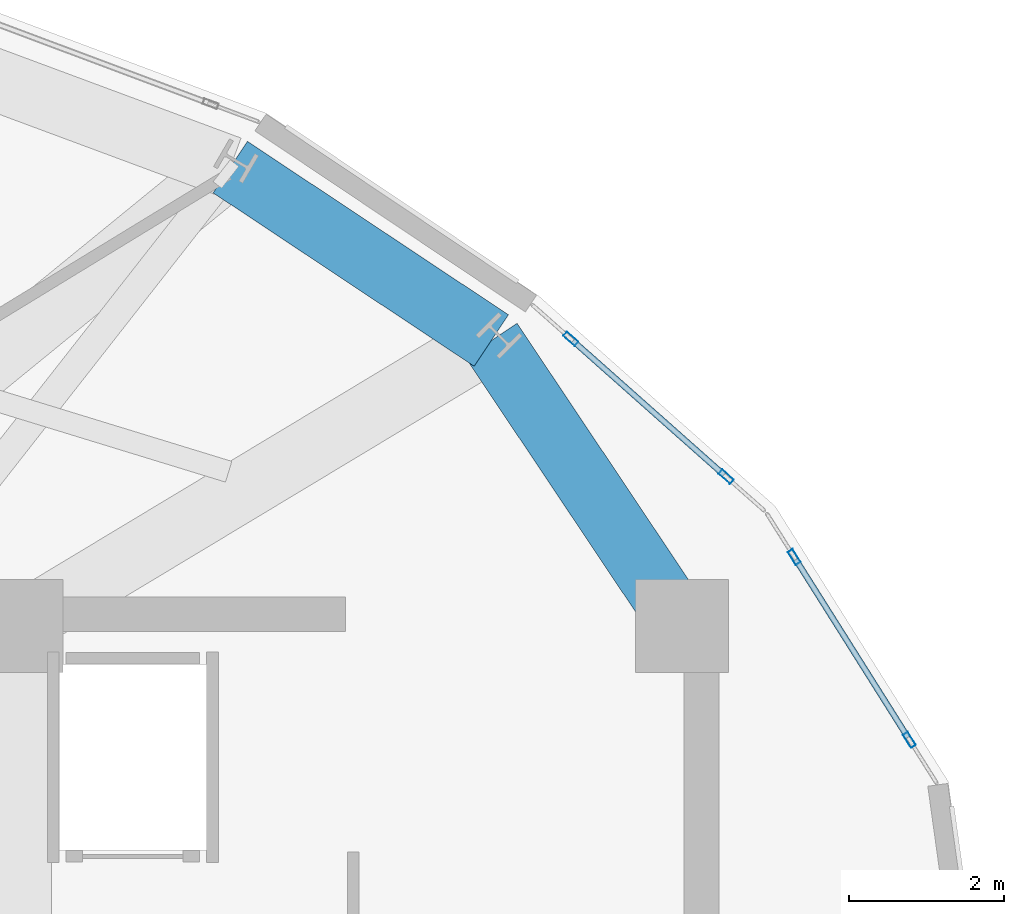
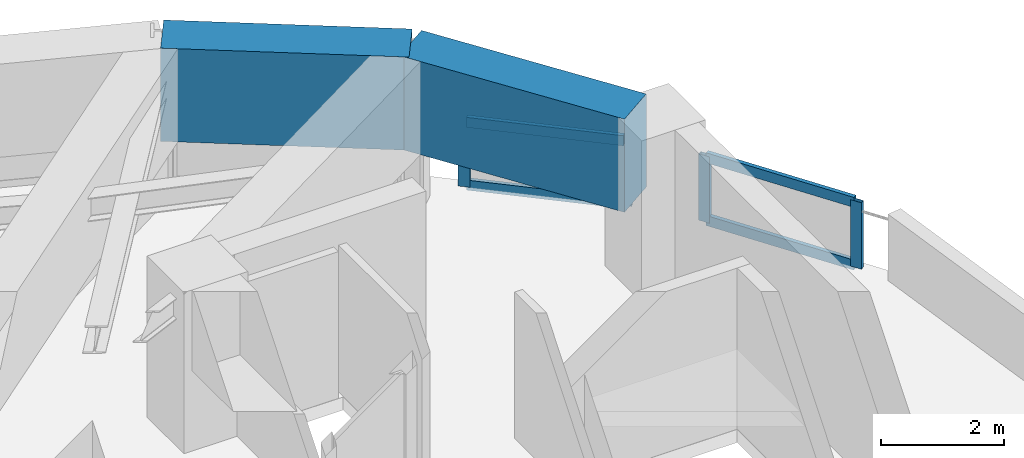
# One storey, part 12 of 18: 8 members, 2 beams, 2 elements without a shape of their own.
"""IFC4 building model written with IfcOpenShell, lengths in metres."""

from ifc_helpers import new_model, si_unit, direction, frame, origin, origin_2d, place, context, subcontext, project, spatial, rectangle, hollow_rectangle, extrude, material, layer, layer_set, material_profile, profile_set, type_object, element, aggregate, save


model = new_model("IFC4")

# Units and contexts
model_context = context("Model", 3, precision=1e-05, world=origin(), true_north=direction((0.0, 1.0)))
body_context = subcontext(model_context, "Body", "Model", "MODEL_VIEW")
ifc_project = project(units=[si_unit("LENGTHUNIT", "METRE"), si_unit("AREAUNIT", "SQUARE_METRE"), si_unit("VOLUMEUNIT", "CUBIC_METRE"), si_unit("PLANEANGLEUNIT", "RADIAN"), si_unit("MASSUNIT", "GRAM", prefix="KILO")], contexts=[model_context])

# Site, building, storey
site_placement = place(None, origin())
site = spatial("IfcSite", under=ifc_project, at=site_placement, CompositionType="ELEMENT")
building_placement = place(site_placement, origin())
building = spatial("IfcBuilding", under=site, at=building_placement, Name="Solvane Sanctuary Tower", CompositionType="ELEMENT")
storey_placement = place(building_placement, frame((0.0, 0.0, 263.60009765625)))
storey = spatial("IfcBuildingStorey", under=building, at=storey_placement, Name="L80", CompositionType="ELEMENT", Elevation=263.60009765625)

# Beams
ifc_material_1 = material(Name="Concrete C70/85", Category="concrete")
ifc_material_profile_1 = material_profile(ifc_material_1, rectangle(XDim=0.800048828125, YDim=1.85009765625, at=origin_2d()), Name="RC800X1850")
ifc_profile_set_1 = profile_set([ifc_material_profile_1], Name="Concrete C70/85")
beam_type = type_object("IfcBeamType", Name="Beam B-XFER-BLK RC800X1850", PredefinedType="BEAM", material=ifc_profile_set_1)
beam_1_placement = place(storey_placement, frame((42.860107421875, 36.129150390625, 2.27490234375), z_axis=(0.832902394686, -0.553419913742, 0.0), x_axis=(0.553419913742, 0.832902394686, 0.0)))
element("IfcBeam", 1, at=beam_1_placement, inside=storey, type_object=beam_type, Name="L80 Perimeter Step Transfer Ring NTC02-NTC01", PredefinedType="BEAM", context=body_context, shape_type="SweptSolid", body=[
    extrude(rectangle(XDim=0.800048828125, YDim=1.85009765625, at=origin_2d()), origin(), (0.0, 0.0, 1.0), 4.050537109375),
])
beam_2_placement = place(storey_placement, frame((46.23388671875, 33.887451171875, 2.27490234375), z_axis=(0.555943545236, -0.831220051798, 0.0), x_axis=(0.831220051798, 0.555943545236, 0.0)))
element("IfcBeam", 2, at=beam_2_placement, inside=storey, type_object=beam_type, Name="L80 Perimeter Step Transfer Ring NTC01-CE3", PredefinedType="BEAM", context=body_context, shape_type="SweptSolid", body=[
    extrude(rectangle(XDim=0.800048828125, YDim=1.85009765625, at=origin_2d()), origin(), (0.0, 0.0, 1.0), 4.076171875),
])

# Curtain wall, members
ifc_material_2 = material(Name="Anodised Aluminium 6063-T6", Category="aluminium")
ifc_layer = layer(ifc_material_2, 0.219970703125, Name="Anodised Aluminium 6063-T6")
ifc_layer_set = layer_set([ifc_layer], Name="Anodised Aluminium 6063-T6")
curtain_wall_type = type_object("IfcCurtainWallType", Name="Curtain Wall CW-CROWN", PredefinedType="NOTDEFINED", material=ifc_layer_set)
curtain_wall_1_placement = place(storey_placement, origin())
curtain_wall_1 = element("IfcCurtainWall", 3, at=curtain_wall_1_placement, inside=storey, type_object=curtain_wall_type, Name="L80 Crown Fritted Lantern Curtain Wall 01", PredefinedType="NOTDEFINED")
ifc_material_profile_2 = material_profile(ifc_material_2, hollow_rectangle(XDim=0.074951171875, YDim=0.199951171875, WallThickness=0.00390625, at=origin_2d()), Name="ALU200X75X4")
ifc_profile_set_2 = profile_set([ifc_material_profile_2], Name="Anodised Aluminium 6063-T6")
member_type_1 = type_object("IfcMemberType", Name="Member M-CW-MUL-1 ALU200X75X4", PredefinedType="MULLION", material=ifc_profile_set_2)
member_1_placement = place(storey_placement, frame((51.6376953125, 28.726806640625, 0.0), z_axis=(0.0, 0.0, 1.0), x_axis=(-0.846086642635, -0.533045395022, 0.0)))
member_1 = element("IfcMember", 4, at=member_1_placement, type_object=member_type_1, Name="CW-CROWN mullion 1", PredefinedType="MULLION", context=body_context, shape_type="SweptSolid", body=[
    extrude(hollow_rectangle(XDim=0.074951171875, YDim=0.199951171875, WallThickness=0.00390625, at=origin_2d()), origin(), (0.0, 0.0, 1.0), 1.31982421875),
])
member_2_placement = place(storey_placement, frame((50.14892578125, 31.089599609375, 0.0), z_axis=(0.0, 0.0, 1.0), x_axis=(-0.846086642635, -0.533045395022, 0.0)))
member_2 = element("IfcMember", 5, at=member_2_placement, type_object=member_type_1, Name="CW-CROWN mullion 2", PredefinedType="MULLION", context=body_context, shape_type="SweptSolid", body=[
    extrude(hollow_rectangle(XDim=0.074951171875, YDim=0.199951171875, WallThickness=0.00390625, at=origin_2d()), origin(), (0.0, 0.0, 1.0), 1.31982421875),
])

curtain_wall_2_placement = place(storey_placement, origin())
curtain_wall_2 = element("IfcCurtainWall", 6, at=curtain_wall_2_placement, inside=storey, type_object=curtain_wall_type, Name="L80 Crown Fritted Lantern Curtain Wall 02", PredefinedType="NOTDEFINED")
member_3_placement = place(storey_placement, frame((49.268310546875, 32.127685546875, 0.0), z_axis=(0.0, 0.0, 1.0), x_axis=(-0.663675121701, -0.748020944116, 0.0)))
member_3 = element("IfcMember", 7, at=member_3_placement, type_object=member_type_1, Name="CW-CROWN mullion 1", PredefinedType="MULLION", context=body_context, shape_type="SweptSolid", body=[
    extrude(hollow_rectangle(XDim=0.074951171875, YDim=0.199951171875, WallThickness=0.00390625, at=origin_2d()), origin(), (0.0, 0.0, 1.0), 1.31982421875),
])
member_4_placement = place(storey_placement, frame((47.2607421875, 33.90869140625, 0.0), z_axis=(0.0, 0.0, 1.0), x_axis=(-0.663675121701, -0.748020944116, 0.0)))
member_4 = element("IfcMember", 8, at=member_4_placement, type_object=member_type_1, Name="CW-CROWN mullion 2", PredefinedType="MULLION", context=body_context, shape_type="SweptSolid", body=[
    extrude(hollow_rectangle(XDim=0.074951171875, YDim=0.199951171875, WallThickness=0.00390625, at=origin_2d()), origin(), (0.0, 0.0, 1.0), 1.31982421875),
])

# Member
ifc_material_profile_3 = material_profile(ifc_material_2, hollow_rectangle(XDim=0.074951171875, YDim=0.199951171875, WallThickness=0.00390625, at=origin_2d()), Name="ALU200X75X4")
ifc_profile_set_3 = profile_set([ifc_material_profile_3], Name="Anodised Aluminium 6063-T6")
member_type_2 = type_object("IfcMemberType", Name="Member M-CW-TRN-2 ALU200X75X4", PredefinedType="USERDEFINED", material=ifc_profile_set_3)
member_5_placement = place(storey_placement, frame((51.61767578125, 28.758544921875, 0.037353515625), z_axis=(-0.533080100401, 0.846064776808, 0.0), x_axis=(-0.846064776808, -0.533080100401, 0.0)))
member_5 = element("IfcMember", 9, at=member_5_placement, type_object=member_type_2, Name="CW-CROWN transom 1.1", ObjectType="TRANSOM", PredefinedType="USERDEFINED", context=body_context, shape_type="SweptSolid", body=[
    extrude(hollow_rectangle(XDim=0.074951171875, YDim=0.199951171875, WallThickness=0.00390625, at=origin_2d()), origin(), (0.0, 0.0, 1.0), 2.7177734375),
])

member_6_placement = place(storey_placement, frame((51.61767578125, 28.758544921875, 1.282470703125), z_axis=(-0.533080100401, 0.846064776808, 0.0), x_axis=(-0.846064776808, -0.533080100401, 0.0)))
member_6 = element("IfcMember", 10, at=member_6_placement, type_object=member_type_2, Name="CW-CROWN transom 1.2", ObjectType="TRANSOM", PredefinedType="USERDEFINED", context=body_context, shape_type="SweptSolid", body=[
    extrude(hollow_rectangle(XDim=0.074951171875, YDim=0.199951171875, WallThickness=0.00390625, at=origin_2d()), origin(), (0.0, 0.0, 1.0), 2.7177734375),
])

aggregate(curtain_wall_1, [member_1, member_2, member_5, member_6])

member_7_placement = place(storey_placement, frame((49.240234375, 32.152587890625, 0.037353515625), z_axis=(-0.748007945387, 0.663689772136, 0.0), x_axis=(-0.663689772136, -0.748007945387, 0.0)))
member_7 = element("IfcMember", 11, at=member_7_placement, type_object=member_type_2, Name="CW-CROWN transom 1.1", ObjectType="TRANSOM", PredefinedType="USERDEFINED", context=body_context, shape_type="SweptSolid", body=[
    extrude(hollow_rectangle(XDim=0.074951171875, YDim=0.199951171875, WallThickness=0.00390625, at=origin_2d()), origin(), (0.0, 0.0, 1.0), 2.60888671875),
])

member_8_placement = place(storey_placement, frame((49.240234375, 32.152587890625, 1.282470703125), z_axis=(-0.748007945387, 0.663689772136, 0.0), x_axis=(-0.663689772136, -0.748007945387, 0.0)))
member_8 = element("IfcMember", 12, at=member_8_placement, type_object=member_type_2, Name="CW-CROWN transom 1.2", ObjectType="TRANSOM", PredefinedType="USERDEFINED", context=body_context, shape_type="SweptSolid", body=[
    extrude(hollow_rectangle(XDim=0.074951171875, YDim=0.199951171875, WallThickness=0.00390625, at=origin_2d()), origin(), (0.0, 0.0, 1.0), 2.60888671875),
])

aggregate(curtain_wall_2, [member_3, member_4, member_7, member_8])

save(model, "model.ifc")
